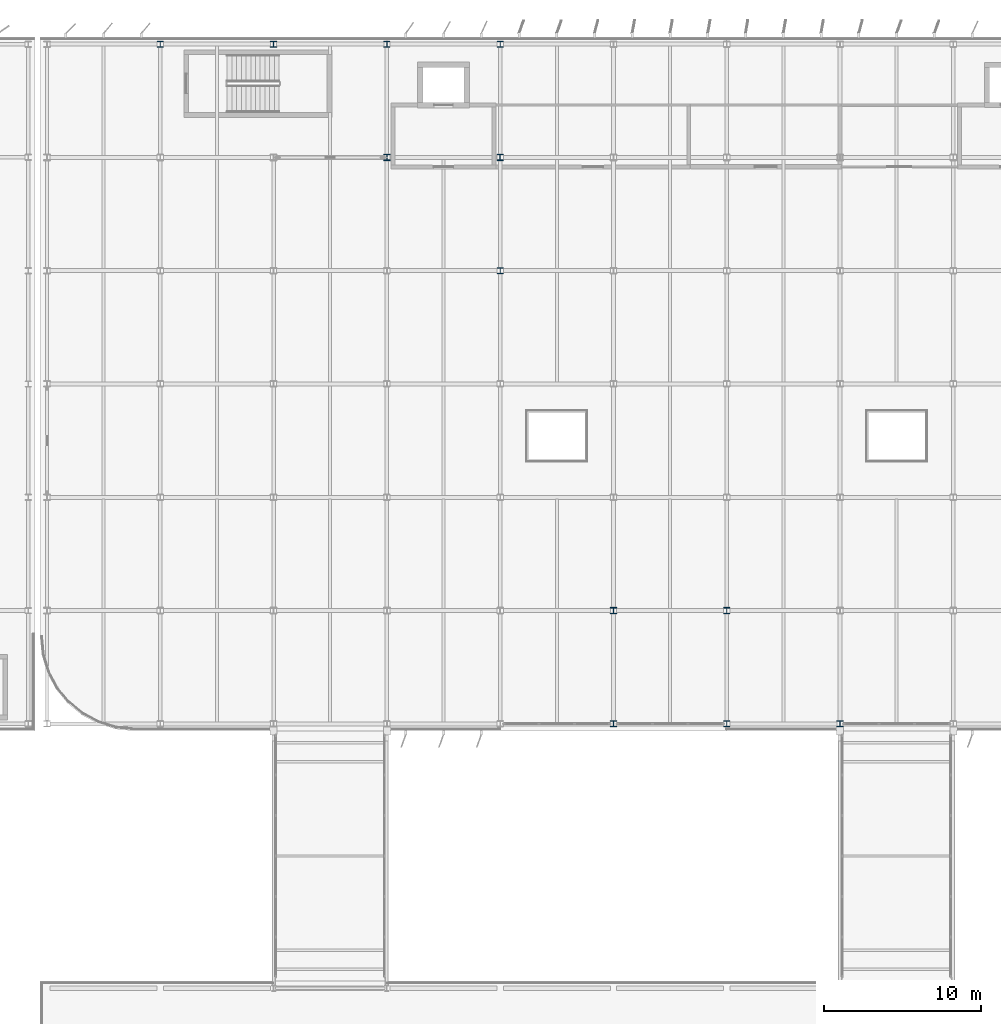
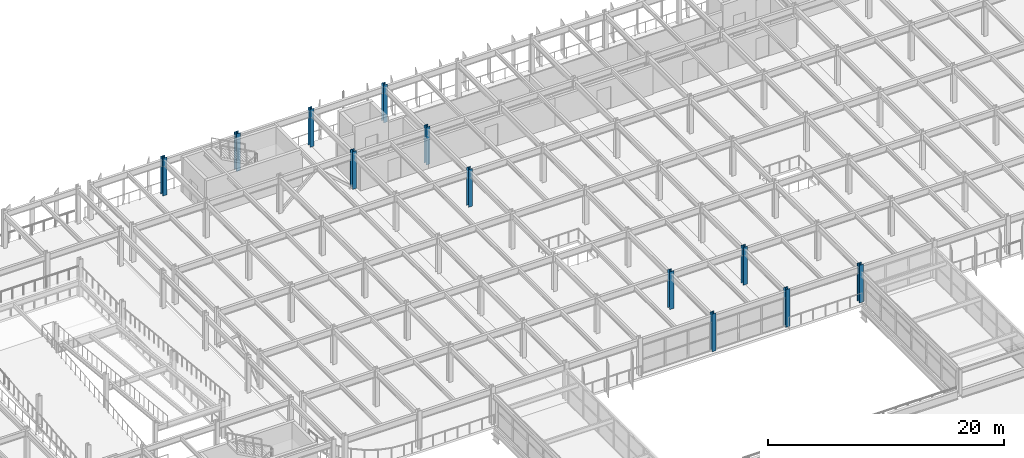
# One storey, part 5 of 93: 12 columns.
"""IFC4 building model written with IfcOpenShell, lengths in metres."""

from ifc_helpers import new_model, si_unit, direction, frame, origin, origin_2d, place, context, subcontext, project, spatial, i_section, extrude, material, material_profile, profile_set, type_object, element, save


model = new_model("IFC4")

# Units and contexts
model_context = context("Model", 3, precision=1e-05, world=origin(), true_north=direction((0.0, 1.0)))
body_context = subcontext(model_context, "Body", "Model", "MODEL_VIEW")
ifc_project = project(units=[si_unit("LENGTHUNIT", "METRE"), si_unit("AREAUNIT", "SQUARE_METRE"), si_unit("VOLUMEUNIT", "CUBIC_METRE"), si_unit("PLANEANGLEUNIT", "RADIAN"), si_unit("MASSUNIT", "GRAM", prefix="KILO")], contexts=[model_context])

# Site, building, storey
site_placement = place(None, origin())
site = spatial("IfcSite", under=ifc_project, at=site_placement, CompositionType="ELEMENT")
building_placement = place(site_placement, origin())
building = spatial("IfcBuilding", under=site, at=building_placement, Name="Vaelcorin Mobility Hub", CompositionType="ELEMENT")
storey_placement = place(building_placement, frame((0.0, 0.0, 5.39990234375)))
storey = spatial("IfcBuildingStorey", under=building, at=storey_placement, Name="L01", CompositionType="ELEMENT", Elevation=5.39990234375)

# Columns
ifc_material = material(Name="Steel ASTM A992 Grade 50", Category="steel")
ifc_material_profile_1 = material_profile(ifc_material, i_section(OverallWidth=0.39599609375, OverallDepth=0.381103515625, WebThickness=0.018798828125, FlangeThickness=0.0302734375, FilletRadius=0.014892578125, at=origin_2d()), Name="W14X159")
ifc_profile_set_1 = profile_set([ifc_material_profile_1], Name="Steel ASTM A992 Grade 50")
column_type_1 = type_object("IfcColumnType", Name="COL-W14X159", PredefinedType="COLUMN", material=ifc_profile_set_1)
for number, where, z_axis, x_axis, name in (
    (1, (43.199951171875, 120.0, 0.0), (0.0, 0.0, 1.0), (1.0, 0.0, 0.0), "Column V4-X02Y07 L01"),
    (2, (50.39990234375, 120.0, 0.0), (0.0, 0.0, 1.0), (1.0, 0.0, 0.0), "Column V4-X03Y07 L01"),
    (3, (57.60009765625, 120.0, 0.0), (0.0, 0.0, 1.0), (1.0, 0.0, 0.0), "Column V4-X04Y07 L01"),
    (4, (64.800048828125, 105.60009765625, 0.0), (0.0, 0.0, 1.0), (1.0, 0.0, 0.0), "Column V4-X05Y05 L01"),
    (5, (64.800048828125, 120.0, 0.0), (0.0, 0.0, 1.0), (1.0, 0.0, 0.0), "Column V4-X05Y07 L01"),
    (6, (72.0, 76.800048828125, 0.0), (0.0, 0.0, 1.0), (1.0, 0.0, 0.0), "Column V4-X06Y01 L01"),
    (7, (79.199951171875, 76.800048828125, 0.0), (0.0, 0.0, 1.0), (1.0, 0.0, 0.0), "Column V4-X07Y01 L01"),
    (8, (86.39990234375, 76.800048828125, 0.0), (0.0, 0.0, 1.0), (1.0, 0.0, 0.0), "Column V4-X08Y01 L01"),
):
    element("IfcColumn", number, at=place(storey_placement, frame(where, z_axis=z_axis, x_axis=x_axis)), inside=storey, type_object=column_type_1, Name=name, PredefinedType="COLUMN", context=body_context, shape_type="SweptSolid", body=[
        extrude(i_section(OverallWidth=0.39599609375, OverallDepth=0.381103515625, WebThickness=0.018798828125, FlangeThickness=0.0302734375, FilletRadius=0.014892578125, at=origin_2d()), origin(), (0.0, 0.0, 1.0), 3.900146484375),
    ])
ifc_material_profile_2 = material_profile(ifc_material, i_section(OverallWidth=0.39892578125, OverallDepth=0.39404296875, WebThickness=0.022705078125, FlangeThickness=0.03662109375, FilletRadius=0.014892578125, at=origin_2d()), Name="W14X193")
ifc_profile_set_2 = profile_set([ifc_material_profile_2], Name="Steel ASTM A992 Grade 50")
column_type_2 = type_object("IfcColumnType", Name="COL-W14X193", PredefinedType="COLUMN", material=ifc_profile_set_2)
for number, where, z_axis, x_axis, name in (
    (9, (57.60009765625, 112.800048828125, 0.0), (0.0, 0.0, 1.0), (1.0, 0.0, 0.0), "Column V4-X04Y06 L01"),
    (10, (64.800048828125, 112.800048828125, 0.0), (0.0, 0.0, 1.0), (1.0, 0.0, 0.0), "Column V4-X05Y06 L01"),
    (11, (72.0, 84.0, 0.0), (0.0, 0.0, 1.0), (1.0, 0.0, 0.0), "Column V4-X06Y02 L01"),
    (12, (79.199951171875, 84.0, 0.0), (0.0, 0.0, 1.0), (1.0, 0.0, 0.0), "Column V4-X07Y02 L01"),
):
    element("IfcColumn", number, at=place(storey_placement, frame(where, z_axis=z_axis, x_axis=x_axis)), inside=storey, type_object=column_type_2, Name=name, PredefinedType="COLUMN", context=body_context, shape_type="SweptSolid", body=[
        extrude(i_section(OverallWidth=0.39892578125, OverallDepth=0.39404296875, WebThickness=0.022705078125, FlangeThickness=0.03662109375, FilletRadius=0.014892578125, at=origin_2d()), origin(), (0.0, 0.0, 1.0), 3.900146484375),
    ])

save(model, "model.ifc")
